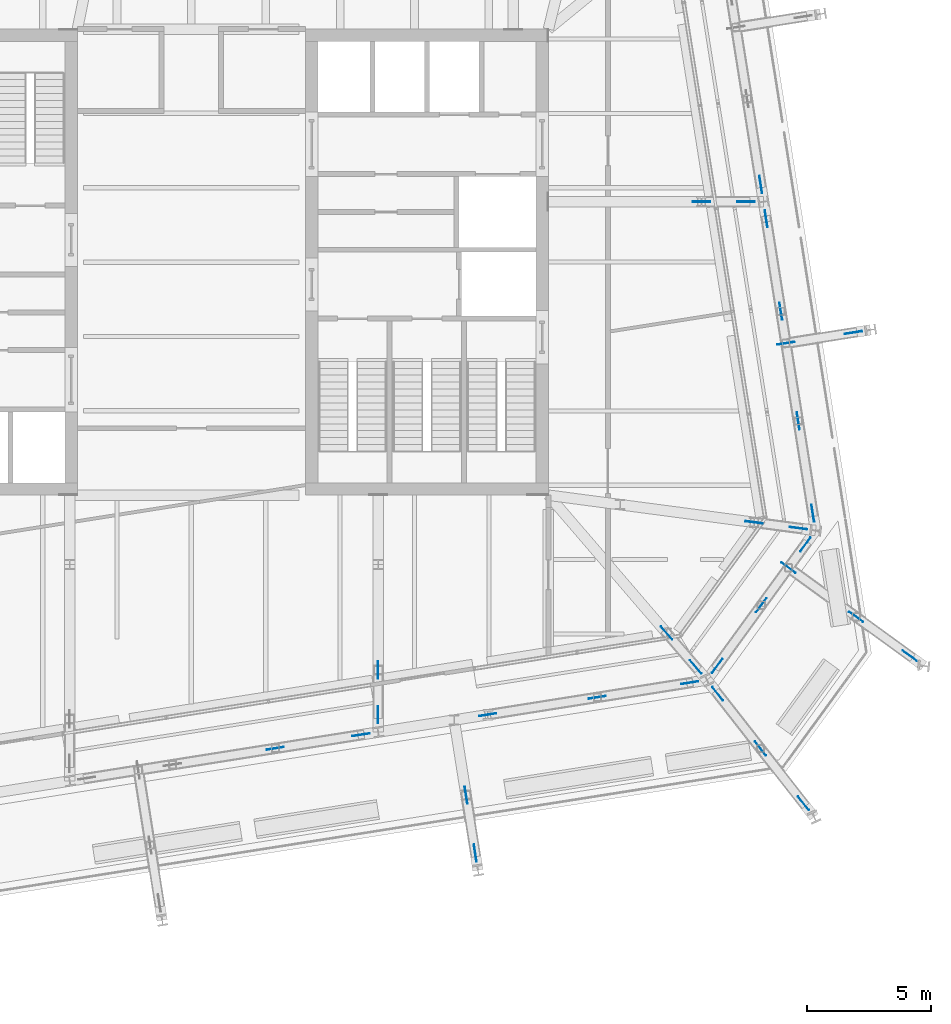
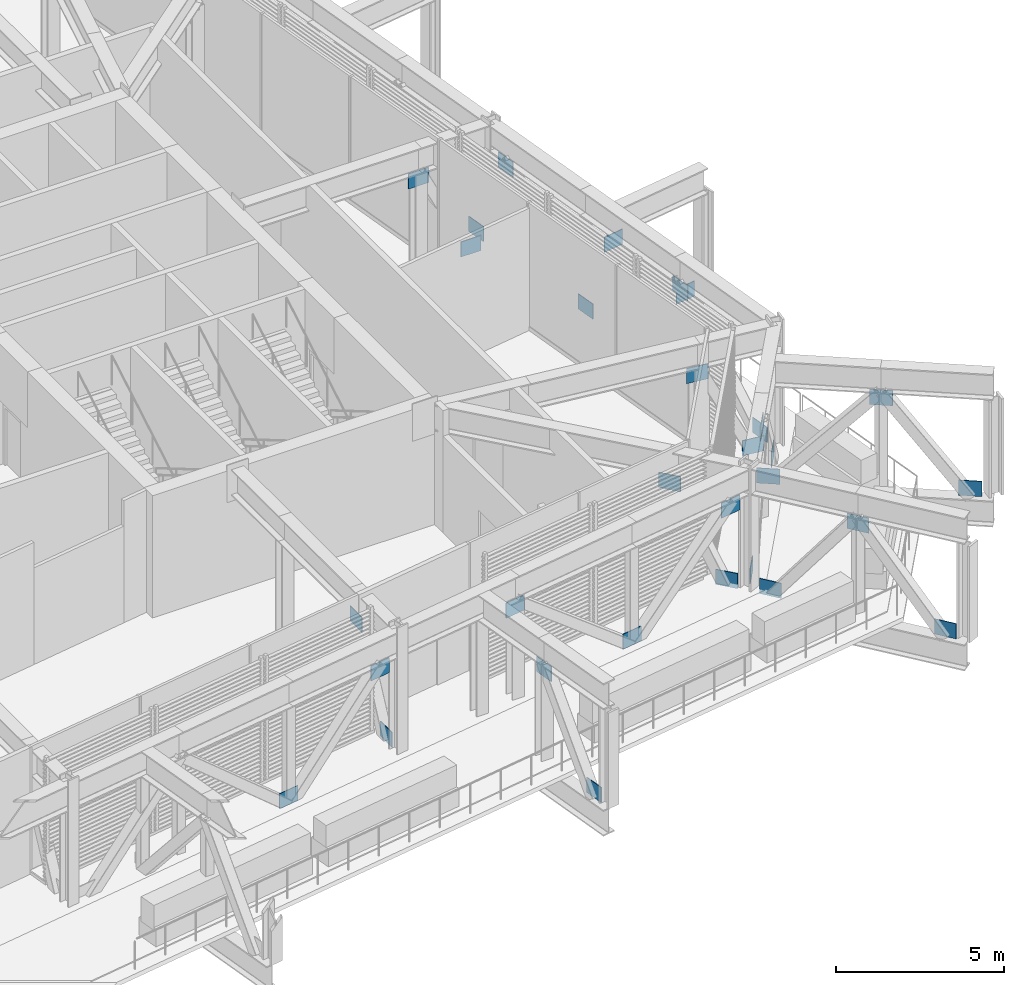
# One storey, part 30 of 35: 31 discrete accessories.
"""IFC4 building model written with IfcOpenShell, lengths in metres."""

from ifc_helpers import new_model, si_unit, direction, frame, origin, origin_2d, place, context, subcontext, project, spatial, rectangle, extrude, material, layer, layer_set, type_object, element, save


model = new_model("IFC4")

# Units and contexts
model_context = context("Model", 3, precision=1e-05, world=origin(), true_north=direction((0.0, 1.0)))
body_context = subcontext(model_context, "Body", "Model", "MODEL_VIEW")
ifc_project = project(units=[si_unit("LENGTHUNIT", "METRE"), si_unit("AREAUNIT", "SQUARE_METRE"), si_unit("VOLUMEUNIT", "CUBIC_METRE"), si_unit("PLANEANGLEUNIT", "RADIAN"), si_unit("MASSUNIT", "GRAM", prefix="KILO")], contexts=[model_context])

# Site, building, storey
site_placement = place(None, origin())
site = spatial("IfcSite", under=ifc_project, at=site_placement, CompositionType="ELEMENT")
building_placement = place(site_placement, origin())
building = spatial("IfcBuilding", under=site, at=building_placement, Name="Millrace Tower", CompositionType="ELEMENT")
storey_placement = place(building_placement, frame((0.0, 0.0, 200.10009765625)))
storey = spatial("IfcBuildingStorey", under=building, at=storey_placement, Name="L45", CompositionType="ELEMENT", Elevation=200.10009765625)

# Discrete accessories
ifc_material = material(Name="Steel ASTM A572 Grade 50", Category="steel")
ifc_layer = layer(ifc_material, 0.02490234375)
ifc_layer_set = layer_set([ifc_layer], Name="Steel ASTM A572 Grade 50")
discrete_accessory_type = type_object("IfcDiscreteAccessoryType", Name="Truss gusset plate 700x550x25", PredefinedType="BRACKET", material=ifc_layer_set)
for number, where, z_axis, x_axis, name in (
    (1, (3.039306640625, -19.66845703125, 0.114990234375), (0.987663796475, 0.156589351913, 0.0), (-0.156589351913, 0.987663796475, 0.0), "Truss gusset plate TRS-L45-R03-D02 foot"),
    (2, (6.49609375, -19.120849609375, 3.217529296875), (0.987717677878, 0.156249124184, 0.0), (-0.156249124184, 0.987717677878, 0.0), "Truss gusset plate TRS-L45-R03-D03 head"),
    (3, (16.02978515625, -17.611083984375, 0.114990234375), (0.987663796475, 0.156589351913, 0.0), (-0.156589351913, 0.987663796475, 0.0), "Truss gusset plate TRS-L45-R04-D02 foot"),
    (4, (11.608642578125, -18.311279296875, 3.217529296875), (0.987663796475, 0.156589351913, 0.0), (-0.156589351913, 0.987663796475, 0.0), "Truss gusset plate TRS-L45-R04-D02 head"),
    (5, (19.75927734375, -17.020263671875, 3.217529296875), (0.987717677878, 0.156249124184, 0.0), (-0.156249124184, 0.987717677878, 0.0), "Truss gusset plate TRS-L45-R04-D03 head"),
    (6, (21.002197265625, -16.57275390625, 0.114990234375), (0.587819016355, 0.808992462271, 0.0), (-0.808992462271, 0.587819016355, 0.0), "Truss gusset plate TRS-L45-R05-D01 foot"),
    (7, (22.78173828125, -14.12353515625, 3.217529296875), (0.587653156371, 0.809112951205, 0.0), (-0.809112951205, 0.587653156371, 0.0), "Truss gusset plate TRS-L45-R05-D01 head"),
    (8, (24.561279296875, -11.674072265625, 0.114990234375), (0.587819016355, 0.808992462271, 0.0), (-0.808992462271, 0.587819016355, 0.0), "Truss gusset plate TRS-L45-R05-D02 foot"),
    (9, (25.01416015625, -9.78759765625, 0.114990234375), (0.156589351913, -0.987663796475, 0.0), (0.987663796475, 0.156589351913, 0.0), "Truss gusset plate TRS-L45-R06-D01 foot"),
):
    element("IfcDiscreteAccessory", number, at=place(storey_placement, frame(where, z_axis=z_axis, x_axis=x_axis)), inside=storey, type_object=discrete_accessory_type, Name=name, PredefinedType="BRACKET", context=body_context, shape_type="SweptSolid", body=[
        extrude(rectangle(XDim=0.02490234375, YDim=0.550048828125, at=origin_2d()), origin(), (0.0, 0.0, 1.0), 0.699951171875),
    ])
discrete_accessory_1_placement = place(storey_placement, frame((24.42333984375, -6.05810546875, 3.217529296875), z_axis=(0.156643307321, -0.987655240593, 0.0), x_axis=(0.987655240593, 0.156643307321, 0.0)))
element("IfcDiscreteAccessory", 10, at=discrete_accessory_1_placement, inside=storey, type_object=discrete_accessory_type, Name="Truss gusset plate TRS-L45-R06-D01 head", PredefinedType="BRACKET", context=body_context, shape_type="SweptSolid", body=[
    extrude(rectangle(XDim=0.02490234375, YDim=0.550048828125, at=origin_2d()), origin(), (0.0, 0.0, 1.0), 0.69970703125),
])
for number, where, z_axis, x_axis, name in (
    (11, (23.72314453125, -1.636962890625, 0.114990234375), (0.156589351913, -0.987663796475, 0.0), (0.987663796475, 0.156589351913, 0.0), "Truss gusset plate TRS-L45-R06-D02 foot"),
    (12, (23.132568359375, 2.0927734375, 3.217529296875), (0.156249124184, -0.987717677878, 0.0), (0.987717677878, 0.156249124184, 0.0), "Truss gusset plate TRS-L45-R06-D03 head"),
    (13, (22.91357421875, 3.4755859375, 0.114990234375), (0.156249124184, -0.987717677878, 0.0), (0.987717677878, 0.156249124184, 0.0), "Truss gusset plate TRS-L45-R07-D01 foot"),
    (14, (7.533203125, -18.606689453125, 0.114990234375), (0.0, 1.0, 0.0), (-1.0, 0.0, 0.0), "Truss gusset plate TRS-L45-C04-D01 foot"),
    (15, (7.533203125, -16.806640625, 3.217529296875), (0.0, 1.0, 0.0), (-1.0, 0.0, 0.0), "Truss gusset plate TRS-L45-C04-D01 head"),
    (16, (20.11279296875, -16.05908203125, 0.114990234375), (0.65116469018, -0.758936457329, 0.0), (0.758936457329, 0.65116469018, 0.0), "Truss gusset plate TRS-L45-C05-D01 foot"),
    (17, (18.940673828125, -14.69287109375, 3.217529296875), (0.65116469018, -0.758936457329, 0.0), (0.758936457329, 0.65116469018, 0.0), "Truss gusset plate TRS-L45-C05-D01 head"),
    (18, (24.137451171875, -10.68701171875, 0.114990234375), (0.991361437243, -0.131158304153, 0.0), (0.131158304153, 0.991361437243, 0.0), "Truss gusset plate TRS-L45-C06-D01 foot"),
):
    element("IfcDiscreteAccessory", number, at=place(storey_placement, frame(where, z_axis=z_axis, x_axis=x_axis)), inside=storey, type_object=discrete_accessory_type, Name=name, PredefinedType="BRACKET", context=body_context, shape_type="SweptSolid", body=[
        extrude(rectangle(XDim=0.02490234375, YDim=0.550048828125, at=origin_2d()), origin(), (0.0, 0.0, 1.0), 0.699951171875),
    ])
for number, where, z_axis, x_axis, name in (
    (19, (22.35302734375, -10.451171875, 3.217529296875), (0.991367434798, -0.131112963589, 0.0), (0.131112963589, 0.991367434798, 0.0), "Truss gusset plate TRS-L45-C06-D01 head"),
    (20, (22.027587890625, 2.4384765625, 0.114990234375), (1.0, 0.0, 0.0), (0.0, 1.0, 0.0), "Truss gusset plate TRS-L45-C07-D01 foot"),
):
    element("IfcDiscreteAccessory", number, at=place(storey_placement, frame(where, z_axis=z_axis, x_axis=x_axis)), inside=storey, type_object=discrete_accessory_type, Name=name, PredefinedType="BRACKET", context=body_context, shape_type="SweptSolid", body=[
        extrude(rectangle(XDim=0.02490234375, YDim=0.550048828125, at=origin_2d()), origin(), (0.0, 0.0, 1.0), 0.7001953125),
    ])
for number, where, z_axis, x_axis, name in (
    (21, (20.227783203125, 2.4384765625, 3.217529296875), (1.0, 0.0, 0.0), (0.0, 1.0, 0.0), "Truss gusset plate TRS-L45-C07-D01 head"),
    (22, (11.3955078125, -23.489990234375, 0.114990234375), (0.156249124184, -0.987717677878, 0.0), (0.987717677878, 0.156249124184, 0.0), "Truss gusset plate TRS-L45-B-C-X04-D01 foot"),
    (23, (11.025390625, -21.1533203125, 3.217529296875), (0.156249124184, -0.987717677878, 0.0), (0.987717677878, 0.156249124184, 0.0), "Truss gusset plate TRS-L45-B-C-X04-D01 head"),
    (24, (24.471923828125, -21.552490234375, 0.114990234375), (0.61628004876, -0.787527079852, 0.0), (0.787527079852, 0.61628004876, 0.0), "Truss gusset plate TRS-L45-B-C-X05-D01 foot"),
    (25, (22.741943359375, -19.342041015625, 3.217529296875), (0.61628004876, -0.787527079852, 0.0), (0.787527079852, 0.61628004876, 0.0), "Truss gusset plate TRS-L45-B-C-X05-D01 head"),
    (26, (21.01220703125, -17.131591796875, 0.114990234375), (0.61628004876, -0.787527079852, 0.0), (0.787527079852, 0.61628004876, 0.0), "Truss gusset plate TRS-L45-B-C-X05-D02 foot"),
):
    element("IfcDiscreteAccessory", number, at=place(storey_placement, frame(where, z_axis=z_axis, x_axis=x_axis)), inside=storey, type_object=discrete_accessory_type, Name=name, PredefinedType="BRACKET", context=body_context, shape_type="SweptSolid", body=[
        extrude(rectangle(XDim=0.02490234375, YDim=0.550048828125, at=origin_2d()), origin(), (0.0, 0.0, 1.0), 0.699951171875),
    ])
discrete_accessory_2_placement = place(storey_placement, frame((28.693115234375, -15.673583984375, 0.114990234375), z_axis=(0.80894712746, -0.587881403835, 0.0), x_axis=(0.587881403835, 0.80894712746, 0.0)))
element("IfcDiscreteAccessory", 27, at=discrete_accessory_2_placement, inside=storey, type_object=discrete_accessory_type, Name="Truss gusset plate TRS-L45-B-C-X06-D01 foot", PredefinedType="BRACKET", context=body_context, shape_type="SweptSolid", body=[
    extrude(rectangle(XDim=0.02490234375, YDim=0.550048828125, at=origin_2d()), origin(), (0.0, 0.0, 1.0), 0.7001953125),
])
for number, where, z_axis, x_axis, name in (
    (28, (26.531494140625, -14.103271484375, 3.217529296875), (0.809112951205, -0.587653156371, 0.0), (0.587653156371, 0.809112951205, 0.0), "Truss gusset plate TRS-L45-B-C-X06-D01 head"),
    (29, (23.8037109375, -12.121337890625, 0.114990234375), (0.809112951205, -0.587653156371, 0.0), (0.587653156371, 0.809112951205, 0.0), "Truss gusset plate TRS-L45-B-C-X06-D02 foot"),
    (30, (26.35791015625, -2.895751953125, 0.114990234375), (0.987717677878, 0.156249124184, 0.0), (-0.156249124184, 0.987717677878, 0.0), "Truss gusset plate TRS-L45-B-C-X07-D01 foot"),
    (31, (23.636474609375, -3.326904296875, 3.217529296875), (0.987663796475, 0.156589351913, 0.0), (-0.156589351913, 0.987663796475, 0.0), "Truss gusset plate TRS-L45-B-C-X07-D01 head"),
):
    element("IfcDiscreteAccessory", number, at=place(storey_placement, frame(where, z_axis=z_axis, x_axis=x_axis)), inside=storey, type_object=discrete_accessory_type, Name=name, PredefinedType="BRACKET", context=body_context, shape_type="SweptSolid", body=[
        extrude(rectangle(XDim=0.02490234375, YDim=0.550048828125, at=origin_2d()), origin(), (0.0, 0.0, 1.0), 0.699951171875),
    ])

save(model, "model.ifc")
